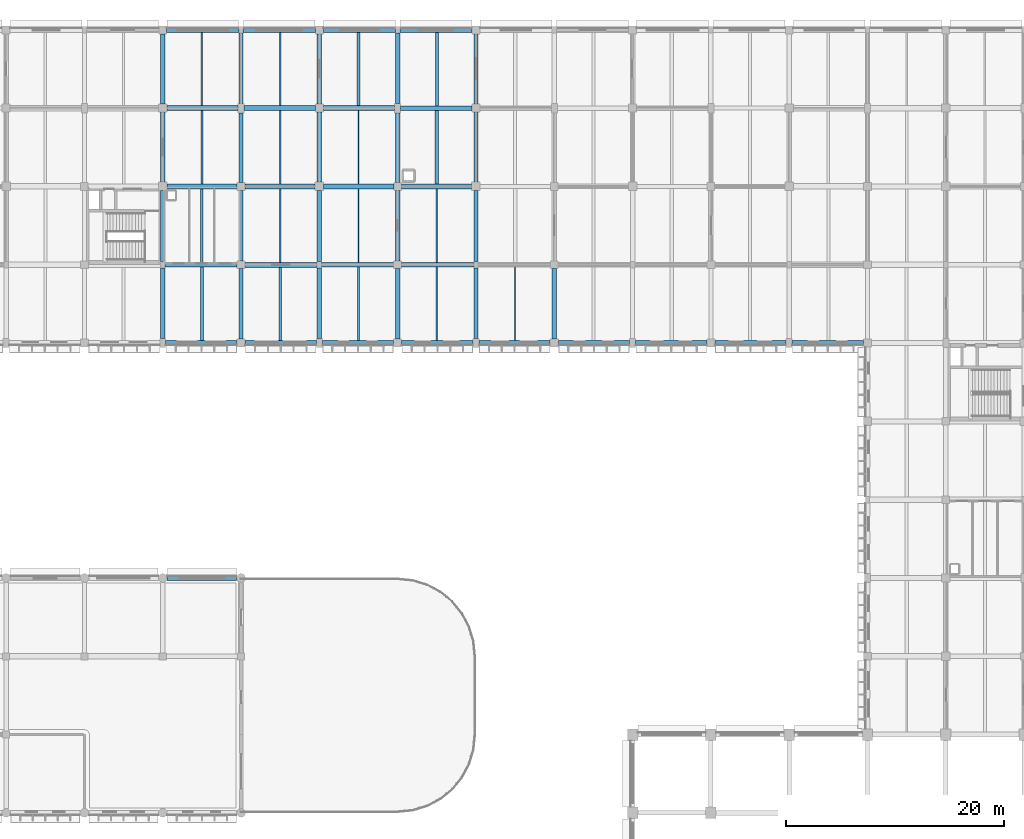
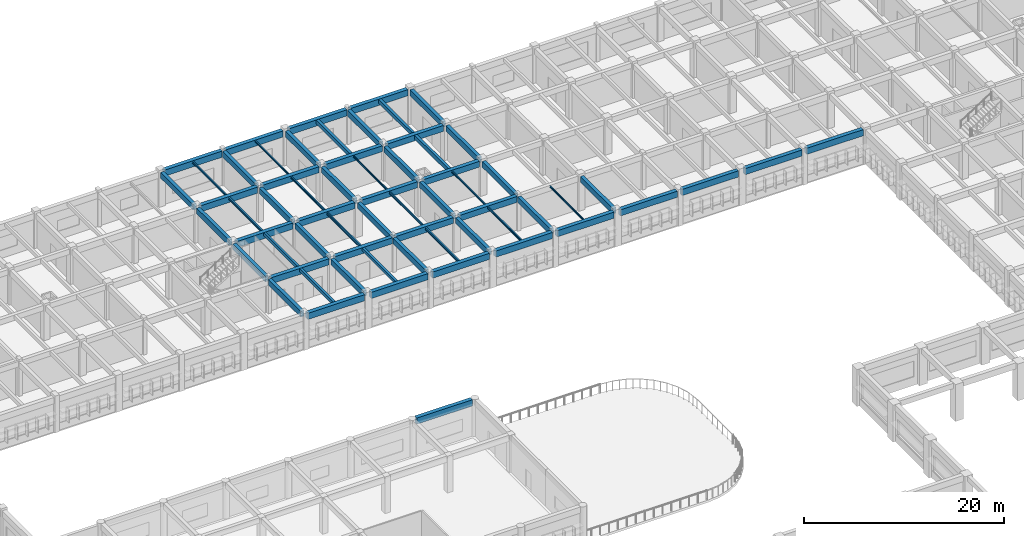
# One storey, part 9 of 61: 64 beams.
"""IFC4 building model written with IfcOpenShell, lengths in metres."""

from ifc_helpers import new_model, si_unit, direction, frame, origin, origin_2d, place, context, subcontext, project, spatial, rectangle, i_section, extrude, material, material_profile, profile_set, type_object, element, save


model = new_model("IFC4")

# Units and contexts
model_context = context("Model", 3, precision=1e-05, world=origin(), true_north=direction((0.0, 1.0)))
body_context = subcontext(model_context, "Body", "Model", "MODEL_VIEW")
ifc_project = project(units=[si_unit("LENGTHUNIT", "METRE"), si_unit("AREAUNIT", "SQUARE_METRE"), si_unit("VOLUMEUNIT", "CUBIC_METRE"), si_unit("PLANEANGLEUNIT", "RADIAN"), si_unit("MASSUNIT", "GRAM", prefix="KILO")], contexts=[model_context])

# Site, building, storey
site_placement = place(None, origin())
site = spatial("IfcSite", under=ifc_project, at=site_placement, CompositionType="ELEMENT")
building_placement = place(site_placement, origin())
building = spatial("IfcBuilding", under=site, at=building_placement, Name="Thalmaran Polytechnic", CompositionType="ELEMENT")
storey_placement = place(building_placement, frame((0.0, 0.0, 9.89990234375)))
storey = spatial("IfcBuildingStorey", under=building, at=storey_placement, Name="L02", CompositionType="ELEMENT", Elevation=9.89990234375)

# Beams
ifc_material_1 = material(Name="Concrete C40/50", Category="concrete")
ifc_material_profile_1 = material_profile(ifc_material_1, rectangle(XDim=0.449951171875, YDim=0.75, at=origin_2d()), Name="RC 450x750")
ifc_profile_set_1 = profile_set([ifc_material_profile_1], Name="Concrete C40/50")
beam_type_1 = type_object("IfcBeamType", Name="BM-RC03", PredefinedType="BEAM", material=ifc_profile_set_1)
beam_1_placement = place(storey_placement, frame((65.0, 100.800048828125, 3.85009765625), z_axis=(1.0, 0.0, 0.0), x_axis=(0.0, 1.0, 0.0)))
element("IfcBeam", 1, at=beam_1_placement, inside=storey, type_object=beam_type_1, Name="Grid Beam B03 L02 X(9,14)", PredefinedType="BEAM", context=body_context, shape_type="SweptSolid", body=[
    extrude(rectangle(XDim=0.449951171875, YDim=0.75, at=origin_2d()), origin(), (0.0, 0.0, 1.0), 6.639892578125),
])
beam_2_placement = place(storey_placement, frame((65.18994140625, 108.0, 3.85009765625), z_axis=(1.0, 0.0, 0.0), x_axis=(0.0, 1.0, 0.0)))
element("IfcBeam", 2, at=beam_2_placement, inside=storey, type_object=beam_type_1, Name="Grid Beam B03 L02 X(9,15)", PredefinedType="BEAM", context=body_context, shape_type="SweptSolid", body=[
    extrude(rectangle(XDim=0.449951171875, YDim=0.75, at=origin_2d()), origin(), (0.0, 0.0, 1.0), 6.4599609375),
])
beam_3_placement = place(storey_placement, frame((65.175048828125, 115.199951171875, 3.85009765625), z_axis=(1.0, 0.0, 0.0), x_axis=(0.0, 1.0, 0.0)))
element("IfcBeam", 3, at=beam_3_placement, inside=storey, type_object=beam_type_1, Name="Grid Beam B03 L02 X(9,16)", PredefinedType="BEAM", context=body_context, shape_type="SweptSolid", body=[
    extrude(rectangle(XDim=0.449951171875, YDim=0.75, at=origin_2d()), origin(), (0.0, 0.0, 1.0), 6.550048828125),
])
ifc_material_profile_2 = material_profile(ifc_material_1, rectangle(XDim=0.449951171875, YDim=0.72509765625, at=origin_2d()), Name="RC 450x725")
ifc_profile_set_2 = profile_set([ifc_material_profile_2], Name="Concrete C40/50")
beam_type_2 = type_object("IfcBeamType", Name="BM-RC04", PredefinedType="BEAM", material=ifc_profile_set_2)
beam_4_placement = place(storey_placement, frame((79.39990234375, 100.800048828125, 3.862548828125), z_axis=(1.0, 0.0, 0.0), x_axis=(0.0, 1.0, 0.0)))
element("IfcBeam", 4, at=beam_4_placement, inside=storey, type_object=beam_type_2, Name="Grid Beam B04 L02 X(11,14)", PredefinedType="BEAM", context=body_context, shape_type="SweptSolid", body=[
    extrude(rectangle(XDim=0.449951171875, YDim=0.72509765625, at=origin_2d()), origin(), (0.0, 0.0, 1.0), 6.64013671875),
])
beam_5_placement = place(storey_placement, frame((79.590087890625, 108.0, 3.862548828125), z_axis=(1.0, 0.0, 0.0), x_axis=(0.0, 1.0, 0.0)))
element("IfcBeam", 5, at=beam_5_placement, inside=storey, type_object=beam_type_2, Name="Grid Beam B04 L02 X(11,15)", PredefinedType="BEAM", context=body_context, shape_type="SweptSolid", body=[
    extrude(rectangle(XDim=0.449951171875, YDim=0.72509765625, at=origin_2d()), origin(), (0.0, 0.0, 1.0), 6.4599609375),
])
beam_6_placement = place(storey_placement, frame((79.574951171875, 115.199951171875, 3.862548828125), z_axis=(1.0, 0.0, 0.0), x_axis=(0.0, 1.0, 0.0)))
element("IfcBeam", 6, at=beam_6_placement, inside=storey, type_object=beam_type_2, Name="Grid Beam B04 L02 X(11,16)", PredefinedType="BEAM", context=body_context, shape_type="SweptSolid", body=[
    extrude(rectangle(XDim=0.449951171875, YDim=0.72509765625, at=origin_2d()), origin(), (0.0, 0.0, 1.0), 6.550048828125),
])
ifc_material_profile_3 = material_profile(ifc_material_1, rectangle(XDim=0.389892578125, YDim=0.68505859375, at=origin_2d()), Name="RC 390x685")
ifc_profile_set_3 = profile_set([ifc_material_profile_3], Name="Concrete C40/50")
beam_type_3 = type_object("IfcBeamType", Name="BM-RC08", PredefinedType="BEAM", material=ifc_profile_set_3)
beam_7_placement = place(storey_placement, frame((64.800048828125, 94.02490234375, 3.882568359375), z_axis=(0.0, 1.0, 0.0), x_axis=(-1.0, 0.0, 0.0)))
element("IfcBeam", 7, at=beam_7_placement, inside=storey, type_object=beam_type_3, Name="Grid Beam B08 L02 Y(9,13)", PredefinedType="BEAM", context=body_context, shape_type="SweptSolid", body=[
    extrude(rectangle(XDim=0.389892578125, YDim=0.68505859375, at=origin_2d()), origin(), (0.0, 0.0, 1.0), 6.47509765625),
])
beam_8_placement = place(storey_placement, frame((72.0, 93.97509765625, 3.882568359375), z_axis=(0.0, 1.0, 0.0), x_axis=(-1.0, 0.0, 0.0)))
element("IfcBeam", 8, at=beam_8_placement, inside=storey, type_object=beam_type_3, Name="Grid Beam B08 L02 Y(10,13)", PredefinedType="BEAM", context=body_context, shape_type="SweptSolid", body=[
    extrude(rectangle(XDim=0.389892578125, YDim=0.68505859375, at=origin_2d()), origin(), (0.0, 0.0, 1.0), 6.46484375),
])
beam_9_placement = place(storey_placement, frame((79.199951171875, 94.02490234375, 3.882568359375), z_axis=(0.0, 1.0, 0.0), x_axis=(-1.0, 0.0, 0.0)))
element("IfcBeam", 9, at=beam_9_placement, inside=storey, type_object=beam_type_3, Name="Grid Beam B08 L02 Y(11,13)", PredefinedType="BEAM", context=body_context, shape_type="SweptSolid", body=[
    extrude(rectangle(XDim=0.389892578125, YDim=0.68505859375, at=origin_2d()), origin(), (0.0, 0.0, 1.0), 6.47509765625),
])
beam_10_placement = place(storey_placement, frame((86.39990234375, 93.97509765625, 3.882568359375), z_axis=(0.0, 1.0, 0.0), x_axis=(-1.0, 0.0, 0.0)))
element("IfcBeam", 10, at=beam_10_placement, inside=storey, type_object=beam_type_3, Name="Grid Beam B08 L02 Y(12,13)", PredefinedType="BEAM", context=body_context, shape_type="SweptSolid", body=[
    extrude(rectangle(XDim=0.389892578125, YDim=0.68505859375, at=origin_2d()), origin(), (0.0, 0.0, 1.0), 6.46484375),
])
beam_11_placement = place(storey_placement, frame((93.60009765625, 94.02490234375, 3.882568359375), z_axis=(0.0, 1.0, 0.0), x_axis=(-1.0, 0.0, 0.0)))
element("IfcBeam", 11, at=beam_11_placement, inside=storey, type_object=beam_type_3, Name="Grid Beam B08 L02 Y(13,13)", PredefinedType="BEAM", context=body_context, shape_type="SweptSolid", body=[
    extrude(rectangle(XDim=0.389892578125, YDim=0.68505859375, at=origin_2d()), origin(), (0.0, 0.0, 1.0), 6.47509765625),
])
beam_12_placement = place(storey_placement, frame((100.800048828125, 93.97509765625, 3.882568359375), z_axis=(0.0, 1.0, 0.0), x_axis=(-1.0, 0.0, 0.0)))
element("IfcBeam", 12, at=beam_12_placement, inside=storey, type_object=beam_type_3, Name="Grid Beam B08 L02 Y(14,13)", PredefinedType="BEAM", context=body_context, shape_type="SweptSolid", body=[
    extrude(rectangle(XDim=0.389892578125, YDim=0.68505859375, at=origin_2d()), origin(), (0.0, 0.0, 1.0), 6.46484375),
])
ifc_material_profile_4 = material_profile(ifc_material_1, rectangle(XDim=0.389892578125, YDim=0.68994140625, at=origin_2d()), Name="RC 390x690")
ifc_profile_set_4 = profile_set([ifc_material_profile_4], Name="Concrete C40/50")
beam_type_4 = type_object("IfcBeamType", Name="BM-RC09", PredefinedType="BEAM", material=ifc_profile_set_4)
beam_13_placement = place(storey_placement, frame((64.800048828125, 108.389892578125, 3.880126953125), z_axis=(0.0, 1.0, 0.0), x_axis=(-1.0, 0.0, 0.0)))
element("IfcBeam", 13, at=beam_13_placement, inside=storey, type_object=beam_type_4, Name="Grid Beam B09 L02 Y(9,15)", PredefinedType="BEAM", context=body_context, shape_type="SweptSolid", body=[
    extrude(rectangle(XDim=0.389892578125, YDim=0.68994140625, at=origin_2d()), origin(), (0.0, 0.0, 1.0), 6.43505859375),
])
beam_14_placement = place(storey_placement, frame((72.0, 108.35009765625, 3.880126953125), z_axis=(0.0, 1.0, 0.0), x_axis=(-1.0, 0.0, 0.0)))
element("IfcBeam", 14, at=beam_14_placement, inside=storey, type_object=beam_type_4, Name="Grid Beam B09 L02 Y(10,15)", PredefinedType="BEAM", context=body_context, shape_type="SweptSolid", body=[
    extrude(rectangle(XDim=0.389892578125, YDim=0.68994140625, at=origin_2d()), origin(), (0.0, 0.0, 1.0), 6.4248046875),
])
beam_15_placement = place(storey_placement, frame((79.199951171875, 108.389892578125, 3.880126953125), z_axis=(0.0, 1.0, 0.0), x_axis=(-1.0, 0.0, 0.0)))
element("IfcBeam", 15, at=beam_15_placement, inside=storey, type_object=beam_type_4, Name="Grid Beam B09 L02 Y(11,15)", PredefinedType="BEAM", context=body_context, shape_type="SweptSolid", body=[
    extrude(rectangle(XDim=0.389892578125, YDim=0.68994140625, at=origin_2d()), origin(), (0.0, 0.0, 1.0), 6.43505859375),
])
beam_16_placement = place(storey_placement, frame((86.39990234375, 108.35009765625, 3.880126953125), z_axis=(0.0, 1.0, 0.0), x_axis=(-1.0, 0.0, 0.0)))
element("IfcBeam", 16, at=beam_16_placement, inside=storey, type_object=beam_type_4, Name="Grid Beam B09 L02 Y(12,15)", PredefinedType="BEAM", context=body_context, shape_type="SweptSolid", body=[
    extrude(rectangle(XDim=0.389892578125, YDim=0.68994140625, at=origin_2d()), origin(), (0.0, 0.0, 1.0), 6.4248046875),
])
beam_17_placement = place(storey_placement, frame((93.60009765625, 108.389892578125, 3.880126953125), z_axis=(0.0, 1.0, 0.0), x_axis=(-1.0, 0.0, 0.0)))
element("IfcBeam", 17, at=beam_17_placement, inside=storey, type_object=beam_type_4, Name="Grid Beam B09 L02 Y(13,15)", PredefinedType="BEAM", context=body_context, shape_type="SweptSolid", body=[
    extrude(rectangle(XDim=0.389892578125, YDim=0.68994140625, at=origin_2d()), origin(), (0.0, 0.0, 1.0), 6.43505859375),
])
ifc_material_profile_5 = material_profile(ifc_material_1, rectangle(XDim=0.300048828125, YDim=0.5, at=origin_2d()), Name="RC 300x500")
ifc_profile_set_5 = profile_set([ifc_material_profile_5], Name="Concrete C40/50")
beam_type_5 = type_object("IfcBeamType", Name="BM-RC11", PredefinedType="JOIST", material=ifc_profile_set_5)
beam_18_placement = place(storey_placement, frame((82.800048828125, 115.425048828125, 3.97509765625), z_axis=(0.0, 1.0, 0.0), x_axis=(-1.0, 0.0, 0.0)))
element("IfcBeam", 18, at=beam_18_placement, inside=storey, type_object=beam_type_5, Name="Secondary Floor Rib RB01 L02 (11,16)", PredefinedType="JOIST", context=body_context, shape_type="SweptSolid", body=[
    extrude(rectangle(XDim=0.300048828125, YDim=0.5, at=origin_2d()), origin(), (0.0, 0.0, 1.0), 6.75),
])
beam_19_placement = place(storey_placement, frame((90.0, 108.219970703125, 3.97509765625), z_axis=(0.0, 1.0, 0.0), x_axis=(-1.0, 0.0, 0.0)))
element("IfcBeam", 19, at=beam_19_placement, inside=storey, type_object=beam_type_5, Name="Secondary Floor Rib RB01 L02 (12,15)", PredefinedType="JOIST", context=body_context, shape_type="SweptSolid", body=[
    extrude(rectangle(XDim=0.300048828125, YDim=0.5, at=origin_2d()), origin(), (0.0, 0.0, 1.0), 6.760009765625),
])
ifc_material_2 = material(Name="Steel S355", Category="steel")
ifc_material_profile_6 = material_profile(ifc_material_2, i_section(OverallWidth=0.159912109375, OverallDepth=0.330078125, WebThickness=0.007568359375, FlangeThickness=0.011474609375, at=origin_2d()), Name="IPE 330")
ifc_profile_set_6 = profile_set([ifc_material_profile_6], Name="Steel S355")
beam_type_6 = type_object("IfcBeamType", Name="BM-SJ02", PredefinedType="JOIST", material=ifc_profile_set_6)
beam_20_placement = place(storey_placement, frame((68.39990234375, 108.22509765625, 4.06005859375), z_axis=(0.0, 1.0, 0.0), x_axis=(-1.0, 0.0, 0.0)))
element("IfcBeam", 20, at=beam_20_placement, inside=storey, type_object=beam_type_6, Name="Secondary Floor Rib SJ02 L02 (9,15)", PredefinedType="JOIST", context=body_context, shape_type="SweptSolid", body=[
    extrude(i_section(OverallWidth=0.159912109375, OverallDepth=0.330078125, WebThickness=0.007568359375, FlangeThickness=0.011474609375, at=origin_2d()), origin(), (0.0, 0.0, 1.0), 6.75),
])
beam_21_placement = place(storey_placement, frame((75.60009765625, 101.030029296875, 4.06005859375), z_axis=(0.0, 1.0, 0.0), x_axis=(-1.0, 0.0, 0.0)))
element("IfcBeam", 21, at=beam_21_placement, inside=storey, type_object=beam_type_6, Name="Secondary Floor Rib SJ02 L02 (10,14)", PredefinedType="JOIST", context=body_context, shape_type="SweptSolid", body=[
    extrude(i_section(OverallWidth=0.159912109375, OverallDepth=0.330078125, WebThickness=0.007568359375, FlangeThickness=0.011474609375, at=origin_2d()), origin(), (0.0, 0.0, 1.0), 6.739990234375),
])
beam_22_placement = place(storey_placement, frame((82.800048828125, 93.824951171875, 4.06005859375), z_axis=(0.0, 1.0, 0.0), x_axis=(-1.0, 0.0, 0.0)))
element("IfcBeam", 22, at=beam_22_placement, inside=storey, type_object=beam_type_6, Name="Secondary Floor Rib SJ02 L02 (11,13)", PredefinedType="JOIST", context=body_context, shape_type="SweptSolid", body=[
    extrude(i_section(OverallWidth=0.159912109375, OverallDepth=0.330078125, WebThickness=0.007568359375, FlangeThickness=0.011474609375, at=origin_2d()), origin(), (0.0, 0.0, 1.0), 6.75),
])
ifc_material_profile_7 = material_profile(ifc_material_2, i_section(OverallWidth=0.135009765625, OverallDepth=0.27001953125, WebThickness=0.006591796875, FlangeThickness=0.01025390625, at=origin_2d()), Name="IPE 270")
ifc_profile_set_7 = profile_set([ifc_material_profile_7], Name="Steel S355")
beam_type_7 = type_object("IfcBeamType", Name="BM-SJ03", PredefinedType="JOIST", material=ifc_profile_set_7)
beam_23_placement = place(storey_placement, frame((68.39990234375, 115.425048828125, 4.090087890625), z_axis=(0.0, 1.0, 0.0), x_axis=(-1.0, 0.0, 0.0)))
element("IfcBeam", 23, at=beam_23_placement, inside=storey, type_object=beam_type_7, Name="Secondary Floor Rib SJ03 L02 (9,16)", PredefinedType="JOIST", context=body_context, shape_type="SweptSolid", body=[
    extrude(i_section(OverallWidth=0.135009765625, OverallDepth=0.27001953125, WebThickness=0.006591796875, FlangeThickness=0.01025390625, at=origin_2d()), origin(), (0.0, 0.0, 1.0), 6.75),
])
beam_24_placement = place(storey_placement, frame((75.60009765625, 108.22998046875, 4.090087890625), z_axis=(0.0, 1.0, 0.0), x_axis=(-1.0, 0.0, 0.0)))
element("IfcBeam", 24, at=beam_24_placement, inside=storey, type_object=beam_type_7, Name="Secondary Floor Rib SJ03 L02 (10,15)", PredefinedType="JOIST", context=body_context, shape_type="SweptSolid", body=[
    extrude(i_section(OverallWidth=0.135009765625, OverallDepth=0.27001953125, WebThickness=0.006591796875, FlangeThickness=0.01025390625, at=origin_2d()), origin(), (0.0, 0.0, 1.0), 6.739990234375),
])
beam_25_placement = place(storey_placement, frame((82.800048828125, 101.02490234375, 4.090087890625), z_axis=(0.0, 1.0, 0.0), x_axis=(-1.0, 0.0, 0.0)))
element("IfcBeam", 25, at=beam_25_placement, inside=storey, type_object=beam_type_7, Name="Secondary Floor Rib SJ03 L02 (11,14)", PredefinedType="JOIST", context=body_context, shape_type="SweptSolid", body=[
    extrude(i_section(OverallWidth=0.135009765625, OverallDepth=0.27001953125, WebThickness=0.006591796875, FlangeThickness=0.01025390625, at=origin_2d()), origin(), (0.0, 0.0, 1.0), 6.75),
])
beam_26_placement = place(storey_placement, frame((90.0, 93.824951171875, 4.090087890625), z_axis=(0.0, 1.0, 0.0), x_axis=(-1.0, 0.0, 0.0)))
element("IfcBeam", 26, at=beam_26_placement, inside=storey, type_object=beam_type_7, Name="Secondary Floor Rib SJ03 L02 (12,13)", PredefinedType="JOIST", context=body_context, shape_type="SweptSolid", body=[
    extrude(i_section(OverallWidth=0.135009765625, OverallDepth=0.27001953125, WebThickness=0.006591796875, FlangeThickness=0.01025390625, at=origin_2d()), origin(), (0.0, 0.0, 1.0), 6.755126953125),
])
ifc_material_profile_8 = material_profile(ifc_material_2, i_section(OverallWidth=0.110107421875, OverallDepth=0.219970703125, WebThickness=0.005859375, FlangeThickness=0.00927734375, at=origin_2d()), Name="IPE 220")
ifc_profile_set_8 = profile_set([ifc_material_profile_8], Name="Steel S355")
beam_type_8 = type_object("IfcBeamType", Name="BM-SJ04", PredefinedType="JOIST", material=ifc_profile_set_8)
beam_27_placement = place(storey_placement, frame((75.60009765625, 115.429931640625, 4.114990234375), z_axis=(0.0, 1.0, 0.0), x_axis=(-1.0, 0.0, 0.0)))
element("IfcBeam", 27, at=beam_27_placement, inside=storey, type_object=beam_type_8, Name="Secondary Floor Rib SJ04 L02 (10,16)", PredefinedType="JOIST", context=body_context, shape_type="SweptSolid", body=[
    extrude(i_section(OverallWidth=0.110107421875, OverallDepth=0.219970703125, WebThickness=0.005859375, FlangeThickness=0.00927734375, at=origin_2d()), origin(), (0.0, 0.0, 1.0), 6.7451171875),
])
beam_28_placement = place(storey_placement, frame((82.800048828125, 108.22509765625, 4.114990234375), z_axis=(0.0, 1.0, 0.0), x_axis=(-1.0, 0.0, 0.0)))
element("IfcBeam", 28, at=beam_28_placement, inside=storey, type_object=beam_type_8, Name="Secondary Floor Rib SJ04 L02 (11,15)", PredefinedType="JOIST", context=body_context, shape_type="SweptSolid", body=[
    extrude(i_section(OverallWidth=0.110107421875, OverallDepth=0.219970703125, WebThickness=0.005859375, FlangeThickness=0.00927734375, at=origin_2d()), origin(), (0.0, 0.0, 1.0), 6.75),
])
beam_29_placement = place(storey_placement, frame((90.0, 101.02001953125, 4.114990234375), z_axis=(0.0, 1.0, 0.0), x_axis=(-1.0, 0.0, 0.0)))
element("IfcBeam", 29, at=beam_29_placement, inside=storey, type_object=beam_type_8, Name="Secondary Floor Rib SJ04 L02 (12,14)", PredefinedType="JOIST", context=body_context, shape_type="SweptSolid", body=[
    extrude(i_section(OverallWidth=0.110107421875, OverallDepth=0.219970703125, WebThickness=0.005859375, FlangeThickness=0.00927734375, at=origin_2d()), origin(), (0.0, 0.0, 1.0), 6.760009765625),
])
beam_30_placement = place(storey_placement, frame((97.199951171875, 93.824951171875, 4.114990234375), z_axis=(0.0, 1.0, 0.0), x_axis=(-1.0, 0.0, 0.0)))
element("IfcBeam", 30, at=beam_30_placement, inside=storey, type_object=beam_type_8, Name="Secondary Floor Rib SJ04 L02 (13,13)", PredefinedType="JOIST", context=body_context, shape_type="SweptSolid", body=[
    extrude(i_section(OverallWidth=0.110107421875, OverallDepth=0.219970703125, WebThickness=0.005859375, FlangeThickness=0.00927734375, at=origin_2d()), origin(), (0.0, 0.0, 1.0), 6.775146484375),
])
ifc_material_profile_9 = material_profile(ifc_material_1, rectangle(XDim=0.449951171875, YDim=0.7548828125, at=origin_2d()), Name="RC 450x755")
ifc_profile_set_9 = profile_set([ifc_material_profile_9], Name="Concrete C40/50")
beam_type_9 = type_object("IfcBeamType", Name="BM-SP02", PredefinedType="SPANDREL", material=ifc_profile_set_9)
beam_31_placement = place(storey_placement, frame((65.199951171875, 72.0, 4.12255859375), z_axis=(1.0, 0.0, 0.0), x_axis=(0.0, 1.0, 0.0)))
element("IfcBeam", 31, at=beam_31_placement, inside=storey, type_object=beam_type_9, Name="Grid Beam SP02 L02 X(9,10)", PredefinedType="SPANDREL", context=body_context, shape_type="SweptSolid", body=[
    extrude(rectangle(XDim=0.449951171875, YDim=0.7548828125, at=origin_2d()), origin(), (0.0, 0.0, 1.0), 6.400146484375),
])
beam_32_placement = place(storey_placement, frame((65.074951171875, 93.60009765625, 3.84765625), z_axis=(1.0, 0.0, 0.0), x_axis=(0.0, 1.0, 0.0)))
element("IfcBeam", 32, at=beam_32_placement, inside=storey, type_object=beam_type_9, Name="Grid Beam SP02 L02 X(9,13)", PredefinedType="SPANDREL", context=body_context, shape_type="SweptSolid", body=[
    extrude(rectangle(XDim=0.449951171875, YDim=0.7548828125, at=origin_2d()), origin(), (0.0, 0.0, 1.0), 6.550048828125),
])
beam_33_placement = place(storey_placement, frame((65.159912109375, 122.39990234375, 3.84765625), z_axis=(1.0, 0.0, 0.0), x_axis=(0.0, 1.0, 0.0)))
element("IfcBeam", 33, at=beam_33_placement, inside=storey, type_object=beam_type_9, Name="Grid Beam SP02 L02 X(9,17)", PredefinedType="SPANDREL", context=body_context, shape_type="SweptSolid", body=[
    extrude(rectangle(XDim=0.449951171875, YDim=0.7548828125, at=origin_2d()), origin(), (0.0, 0.0, 1.0), 6.64013671875),
])
beam_34_placement = place(storey_placement, frame((72.375, 93.60009765625, 3.84765625), z_axis=(1.0, 0.0, 0.0), x_axis=(0.0, 1.0, 0.0)))
element("IfcBeam", 34, at=beam_34_placement, inside=storey, type_object=beam_type_9, Name="Grid Beam SP02 L02 X(10,13)", PredefinedType="SPANDREL", context=body_context, shape_type="SweptSolid", body=[
    extrude(rectangle(XDim=0.449951171875, YDim=0.7548828125, at=origin_2d()), origin(), (0.0, 0.0, 1.0), 6.550048828125),
])
beam_35_placement = place(storey_placement, frame((72.199951171875, 122.39990234375, 3.84765625), z_axis=(1.0, 0.0, 0.0), x_axis=(0.0, 1.0, 0.0)))
element("IfcBeam", 35, at=beam_35_placement, inside=storey, type_object=beam_type_9, Name="Grid Beam SP02 L02 X(10,17)", PredefinedType="SPANDREL", context=body_context, shape_type="SweptSolid", body=[
    extrude(rectangle(XDim=0.449951171875, YDim=0.7548828125, at=origin_2d()), origin(), (0.0, 0.0, 1.0), 6.64013671875),
])
beam_36_placement = place(storey_placement, frame((79.47509765625, 93.60009765625, 3.84765625), z_axis=(1.0, 0.0, 0.0), x_axis=(0.0, 1.0, 0.0)))
element("IfcBeam", 36, at=beam_36_placement, inside=storey, type_object=beam_type_9, Name="Grid Beam SP02 L02 X(11,13)", PredefinedType="SPANDREL", context=body_context, shape_type="SweptSolid", body=[
    extrude(rectangle(XDim=0.449951171875, YDim=0.7548828125, at=origin_2d()), origin(), (0.0, 0.0, 1.0), 6.5498046875),
])
beam_37_placement = place(storey_placement, frame((79.56005859375, 122.39990234375, 3.84765625), z_axis=(1.0, 0.0, 0.0), x_axis=(0.0, 1.0, 0.0)))
element("IfcBeam", 37, at=beam_37_placement, inside=storey, type_object=beam_type_9, Name="Grid Beam SP02 L02 X(11,17)", PredefinedType="SPANDREL", context=body_context, shape_type="SweptSolid", body=[
    extrude(rectangle(XDim=0.449951171875, YDim=0.7548828125, at=origin_2d()), origin(), (0.0, 0.0, 1.0), 6.639892578125),
])
beam_38_placement = place(storey_placement, frame((86.77490234375, 93.60009765625, 3.84765625), z_axis=(1.0, 0.0, 0.0), x_axis=(0.0, 1.0, 0.0)))
element("IfcBeam", 38, at=beam_38_placement, inside=storey, type_object=beam_type_9, Name="Grid Beam SP02 L02 X(12,13)", PredefinedType="SPANDREL", context=body_context, shape_type="SweptSolid", body=[
    extrude(rectangle(XDim=0.449951171875, YDim=0.7548828125, at=origin_2d()), origin(), (0.0, 0.0, 1.0), 6.550048828125),
])
beam_39_placement = place(storey_placement, frame((86.60009765625, 122.39990234375, 3.84765625), z_axis=(1.0, 0.0, 0.0), x_axis=(0.0, 1.0, 0.0)))
element("IfcBeam", 39, at=beam_39_placement, inside=storey, type_object=beam_type_9, Name="Grid Beam SP02 L02 X(12,17)", PredefinedType="SPANDREL", context=body_context, shape_type="SweptSolid", body=[
    extrude(rectangle(XDim=0.449951171875, YDim=0.7548828125, at=origin_2d()), origin(), (0.0, 0.0, 1.0), 6.639892578125),
])
for number, where, z_axis, x_axis, name in (
    (40, (93.875, 93.60009765625, 3.84765625), (1.0, 0.0, 0.0), (0.0, 1.0, 0.0), "Grid Beam SP02 L02 X(13,13)"),
    (41, (101.175048828125, 93.60009765625, 3.84765625), (1.0, 0.0, 0.0), (0.0, 1.0, 0.0), "Grid Beam SP02 L02 X(14,13)"),
    (42, (108.27490234375, 93.60009765625, 3.84765625), (1.0, 0.0, 0.0), (0.0, 1.0, 0.0), "Grid Beam SP02 L02 X(15,13)"),
    (43, (115.574951171875, 93.60009765625, 3.837646484375), (1.0, 0.0, 0.0), (0.0, 1.0, 0.0), "Grid Beam SP02 L02 X(16,13)"),
    (44, (122.675048828125, 93.60009765625, 3.837646484375), (1.0, 0.0, 0.0), (0.0, 1.0, 0.0), "Grid Beam SP02 L02 X(17,13)"),
):
    element("IfcBeam", number, at=place(storey_placement, frame(where, z_axis=z_axis, x_axis=x_axis)), inside=storey, type_object=beam_type_9, Name=name, PredefinedType="SPANDREL", context=body_context, shape_type="SweptSolid", body=[
        extrude(rectangle(XDim=0.449951171875, YDim=0.7548828125, at=origin_2d()), origin(), (0.0, 0.0, 1.0), 6.550048828125),
    ])
ifc_material_profile_10 = material_profile(ifc_material_1, rectangle(XDim=0.4599609375, YDim=0.739990234375, at=origin_2d()), Name="RC 460x740")
ifc_profile_set_10 = profile_set([ifc_material_profile_10], Name="Concrete C40/50")
beam_type_10 = type_object("IfcBeamType", Name="BM-ZB02", PredefinedType="BEAM", material=ifc_profile_set_10)
beam_40_placement = place(storey_placement, frame((72.360107421875, 100.800048828125, 3.85498046875), z_axis=(1.0, 0.0, 0.0), x_axis=(0.0, 1.0, 0.0)))
element("IfcBeam", 45, at=beam_40_placement, inside=storey, type_object=beam_type_10, Name="Grid Beam ZB02 L02 X(10,14)", PredefinedType="BEAM", context=body_context, shape_type="SweptSolid", body=[
    extrude(rectangle(XDim=0.4599609375, YDim=0.739990234375, at=origin_2d()), origin(), (0.0, 0.0, 1.0), 6.639892578125),
])
beam_41_placement = place(storey_placement, frame((72.35009765625, 108.0, 3.85498046875), z_axis=(1.0, 0.0, 0.0), x_axis=(0.0, 1.0, 0.0)))
element("IfcBeam", 46, at=beam_41_placement, inside=storey, type_object=beam_type_10, Name="Grid Beam ZB02 L02 X(10,15)", PredefinedType="BEAM", context=body_context, shape_type="SweptSolid", body=[
    extrude(rectangle(XDim=0.4599609375, YDim=0.739990234375, at=origin_2d()), origin(), (0.0, 0.0, 1.0), 6.4599609375),
])
beam_42_placement = place(storey_placement, frame((72.27490234375, 115.199951171875, 3.85498046875), z_axis=(1.0, 0.0, 0.0), x_axis=(0.0, 1.0, 0.0)))
element("IfcBeam", 47, at=beam_42_placement, inside=storey, type_object=beam_type_10, Name="Grid Beam ZB02 L02 X(10,16)", PredefinedType="BEAM", context=body_context, shape_type="SweptSolid", body=[
    extrude(rectangle(XDim=0.4599609375, YDim=0.739990234375, at=origin_2d()), origin(), (0.0, 0.0, 1.0), 6.550048828125),
])
ifc_material_profile_11 = material_profile(ifc_material_1, rectangle(XDim=0.43994140625, YDim=0.719970703125, at=origin_2d()), Name="RC 440x720")
ifc_profile_set_11 = profile_set([ifc_material_profile_11], Name="Concrete C40/50")
beam_type_11 = type_object("IfcBeamType", Name="BM-ZB03", PredefinedType="BEAM", material=ifc_profile_set_11)
beam_43_placement = place(storey_placement, frame((86.760009765625, 100.800048828125, 3.864990234375), z_axis=(1.0, 0.0, 0.0), x_axis=(0.0, 1.0, 0.0)))
element("IfcBeam", 48, at=beam_43_placement, inside=storey, type_object=beam_type_11, Name="Grid Beam ZB03 L02 X(12,14)", PredefinedType="BEAM", context=body_context, shape_type="SweptSolid", body=[
    extrude(rectangle(XDim=0.43994140625, YDim=0.719970703125, at=origin_2d()), origin(), (0.0, 0.0, 1.0), 6.639892578125),
])
beam_44_placement = place(storey_placement, frame((86.75, 108.0, 3.864990234375), z_axis=(1.0, 0.0, 0.0), x_axis=(0.0, 1.0, 0.0)))
element("IfcBeam", 49, at=beam_44_placement, inside=storey, type_object=beam_type_11, Name="Grid Beam ZB03 L02 X(12,15)", PredefinedType="BEAM", context=body_context, shape_type="SweptSolid", body=[
    extrude(rectangle(XDim=0.43994140625, YDim=0.719970703125, at=origin_2d()), origin(), (0.0, 0.0, 1.0), 6.4599609375),
])
beam_45_placement = place(storey_placement, frame((86.675048828125, 115.199951171875, 3.864990234375), z_axis=(1.0, 0.0, 0.0), x_axis=(0.0, 1.0, 0.0)))
element("IfcBeam", 50, at=beam_45_placement, inside=storey, type_object=beam_type_11, Name="Grid Beam ZB03 L02 X(12,16)", PredefinedType="BEAM", context=body_context, shape_type="SweptSolid", body=[
    extrude(rectangle(XDim=0.43994140625, YDim=0.719970703125, at=origin_2d()), origin(), (0.0, 0.0, 1.0), 6.550048828125),
])
ifc_material_profile_12 = material_profile(ifc_material_1, rectangle(XDim=0.39990234375, YDim=0.68505859375, at=origin_2d()), Name="RC 400x685")
ifc_profile_set_12 = profile_set([ifc_material_profile_12], Name="Concrete C40/50")
beam_type_12 = type_object("IfcBeamType", Name="BM-ZB07", PredefinedType="BEAM", material=ifc_profile_set_12)
beam_46_placement = place(storey_placement, frame((64.800048828125, 101.10009765625, 3.882568359375), z_axis=(0.0, 1.0, 0.0), x_axis=(-1.0, 0.0, 0.0)))
element("IfcBeam", 51, at=beam_46_placement, inside=storey, type_object=beam_type_12, Name="Grid Beam ZB07 L02 Y(9,14)", PredefinedType="BEAM", context=body_context, shape_type="SweptSolid", body=[
    extrude(rectangle(XDim=0.39990234375, YDim=0.68505859375, at=origin_2d()), origin(), (0.0, 0.0, 1.0), 6.510009765625),
])
beam_47_placement = place(storey_placement, frame((72.0, 101.159912109375, 3.882568359375), z_axis=(0.0, 1.0, 0.0), x_axis=(-1.0, 0.0, 0.0)))
element("IfcBeam", 52, at=beam_47_placement, inside=storey, type_object=beam_type_12, Name="Grid Beam ZB07 L02 Y(10,14)", PredefinedType="BEAM", context=body_context, shape_type="SweptSolid", body=[
    extrude(rectangle(XDim=0.39990234375, YDim=0.68505859375, at=origin_2d()), origin(), (0.0, 0.0, 1.0), 6.489990234375),
])
beam_48_placement = place(storey_placement, frame((79.199951171875, 101.10009765625, 3.882568359375), z_axis=(0.0, 1.0, 0.0), x_axis=(-1.0, 0.0, 0.0)))
element("IfcBeam", 53, at=beam_48_placement, inside=storey, type_object=beam_type_12, Name="Grid Beam ZB07 L02 Y(11,14)", PredefinedType="BEAM", context=body_context, shape_type="SweptSolid", body=[
    extrude(rectangle(XDim=0.39990234375, YDim=0.68505859375, at=origin_2d()), origin(), (0.0, 0.0, 1.0), 6.510009765625),
])
beam_49_placement = place(storey_placement, frame((86.39990234375, 101.159912109375, 3.882568359375), z_axis=(0.0, 1.0, 0.0), x_axis=(-1.0, 0.0, 0.0)))
element("IfcBeam", 54, at=beam_49_placement, inside=storey, type_object=beam_type_12, Name="Grid Beam ZB07 L02 Y(12,14)", PredefinedType="BEAM", context=body_context, shape_type="SweptSolid", body=[
    extrude(rectangle(XDim=0.39990234375, YDim=0.68505859375, at=origin_2d()), origin(), (0.0, 0.0, 1.0), 6.489990234375),
])
beam_50_placement = place(storey_placement, frame((93.60009765625, 101.10009765625, 3.882568359375), z_axis=(0.0, 1.0, 0.0), x_axis=(-1.0, 0.0, 0.0)))
element("IfcBeam", 55, at=beam_50_placement, inside=storey, type_object=beam_type_12, Name="Grid Beam ZB07 L02 Y(13,14)", PredefinedType="BEAM", context=body_context, shape_type="SweptSolid", body=[
    extrude(rectangle(XDim=0.39990234375, YDim=0.68505859375, at=origin_2d()), origin(), (0.0, 0.0, 1.0), 6.510009765625),
])
ifc_material_profile_13 = material_profile(ifc_material_1, rectangle(XDim=0.39990234375, YDim=0.695068359375, at=origin_2d()), Name="RC 400x695")
ifc_profile_set_13 = profile_set([ifc_material_profile_13], Name="Concrete C40/50")
beam_type_13 = type_object("IfcBeamType", Name="BM-ZB08", PredefinedType="BEAM", material=ifc_profile_set_13)
beam_51_placement = place(storey_placement, frame((64.800048828125, 115.574951171875, 3.877685546875), z_axis=(0.0, 1.0, 0.0), x_axis=(-1.0, 0.0, 0.0)))
element("IfcBeam", 56, at=beam_51_placement, inside=storey, type_object=beam_type_13, Name="Grid Beam ZB08 L02 Y(9,16)", PredefinedType="BEAM", context=body_context, shape_type="SweptSolid", body=[
    extrude(rectangle(XDim=0.39990234375, YDim=0.695068359375, at=origin_2d()), origin(), (0.0, 0.0, 1.0), 6.465087890625),
])
beam_52_placement = place(storey_placement, frame((72.0, 115.625, 3.877685546875), z_axis=(0.0, 1.0, 0.0), x_axis=(-1.0, 0.0, 0.0)))
element("IfcBeam", 57, at=beam_52_placement, inside=storey, type_object=beam_type_13, Name="Grid Beam ZB08 L02 Y(10,16)", PredefinedType="BEAM", context=body_context, shape_type="SweptSolid", body=[
    extrude(rectangle(XDim=0.39990234375, YDim=0.695068359375, at=origin_2d()), origin(), (0.0, 0.0, 1.0), 6.47509765625),
])
beam_53_placement = place(storey_placement, frame((79.199951171875, 115.574951171875, 3.877685546875), z_axis=(0.0, 1.0, 0.0), x_axis=(-1.0, 0.0, 0.0)))
element("IfcBeam", 58, at=beam_53_placement, inside=storey, type_object=beam_type_13, Name="Grid Beam ZB08 L02 Y(11,16)", PredefinedType="BEAM", context=body_context, shape_type="SweptSolid", body=[
    extrude(rectangle(XDim=0.39990234375, YDim=0.695068359375, at=origin_2d()), origin(), (0.0, 0.0, 1.0), 6.465087890625),
])
beam_54_placement = place(storey_placement, frame((86.39990234375, 115.625, 3.877685546875), z_axis=(0.0, 1.0, 0.0), x_axis=(-1.0, 0.0, 0.0)))
element("IfcBeam", 59, at=beam_54_placement, inside=storey, type_object=beam_type_13, Name="Grid Beam ZB08 L02 Y(12,16)", PredefinedType="BEAM", context=body_context, shape_type="SweptSolid", body=[
    extrude(rectangle(XDim=0.39990234375, YDim=0.695068359375, at=origin_2d()), origin(), (0.0, 0.0, 1.0), 6.47509765625),
])
beam_55_placement = place(storey_placement, frame((93.60009765625, 115.574951171875, 3.877685546875), z_axis=(0.0, 1.0, 0.0), x_axis=(-1.0, 0.0, 0.0)))
element("IfcBeam", 60, at=beam_55_placement, inside=storey, type_object=beam_type_13, Name="Grid Beam ZB08 L02 Y(13,16)", PredefinedType="BEAM", context=body_context, shape_type="SweptSolid", body=[
    extrude(rectangle(XDim=0.39990234375, YDim=0.695068359375, at=origin_2d()), origin(), (0.0, 0.0, 1.0), 6.465087890625),
])
ifc_material_profile_14 = material_profile(ifc_material_1, rectangle(XDim=0.280029296875, YDim=0.47998046875, at=origin_2d()), Name="RC 280x480")
ifc_profile_set_14 = profile_set([ifc_material_profile_14], Name="Concrete C40/50")
beam_type_14 = type_object("IfcBeamType", Name="BM-ZJ01", PredefinedType="JOIST", material=ifc_profile_set_14)
beam_56_placement = place(storey_placement, frame((90.0, 115.419921875, 3.985107421875), z_axis=(0.0, 1.0, 0.0), x_axis=(-1.0, 0.0, 0.0)))
element("IfcBeam", 61, at=beam_56_placement, inside=storey, type_object=beam_type_14, Name="Secondary Floor Rib ZJ01 L02 (12,16)", PredefinedType="JOIST", context=body_context, shape_type="SweptSolid", body=[
    extrude(rectangle(XDim=0.280029296875, YDim=0.47998046875, at=origin_2d()), origin(), (0.0, 0.0, 1.0), 6.755126953125),
])
ifc_material_profile_15 = material_profile(ifc_material_1, rectangle(XDim=0.25, YDim=0.419921875, at=origin_2d()), Name="RC 250x420")
ifc_profile_set_15 = profile_set([ifc_material_profile_15], Name="Concrete C40/50")
beam_type_15 = type_object("IfcBeamType", Name="BM-ZJ03", PredefinedType="JOIST", material=ifc_profile_set_15)
beam_57_placement = place(storey_placement, frame((68.39990234375, 93.824951171875, 4.01513671875), z_axis=(0.0, 1.0, 0.0), x_axis=(-1.0, 0.0, 0.0)))
element("IfcBeam", 62, at=beam_57_placement, inside=storey, type_object=beam_type_15, Name="Secondary Floor Rib ZJ03 L02 (9,13)", PredefinedType="JOIST", context=body_context, shape_type="SweptSolid", body=[
    extrude(rectangle(XDim=0.25, YDim=0.419921875, at=origin_2d()), origin(), (0.0, 0.0, 1.0), 6.75),
])
ifc_material_profile_16 = material_profile(ifc_material_1, rectangle(XDim=0.239990234375, YDim=0.39990234375, at=origin_2d()), Name="RC 240x400")
ifc_profile_set_16 = profile_set([ifc_material_profile_16], Name="Concrete C40/50")
beam_type_16 = type_object("IfcBeamType", Name="BM-ZJ04", PredefinedType="JOIST", material=ifc_profile_set_16)
beam_58_placement = place(storey_placement, frame((68.39990234375, 101.02490234375, 4.025146484375), z_axis=(0.0, 1.0, 0.0), x_axis=(-1.0, 0.0, 0.0)))
element("IfcBeam", 63, at=beam_58_placement, inside=storey, type_object=beam_type_16, Name="Secondary Floor Rib ZJ04 L02 (9,14)", PredefinedType="JOIST", context=body_context, shape_type="SweptSolid", body=[
    extrude(rectangle(XDim=0.239990234375, YDim=0.39990234375, at=origin_2d()), origin(), (0.0, 0.0, 1.0), 6.75),
])
beam_59_placement = place(storey_placement, frame((75.60009765625, 93.824951171875, 4.025146484375), z_axis=(0.0, 1.0, 0.0), x_axis=(-1.0, 0.0, 0.0)))
element("IfcBeam", 64, at=beam_59_placement, inside=storey, type_object=beam_type_16, Name="Secondary Floor Rib ZJ04 L02 (10,13)", PredefinedType="JOIST", context=body_context, shape_type="SweptSolid", body=[
    extrude(rectangle(XDim=0.239990234375, YDim=0.39990234375, at=origin_2d()), origin(), (0.0, 0.0, 1.0), 6.7451171875),
])

save(model, "model.ifc")
